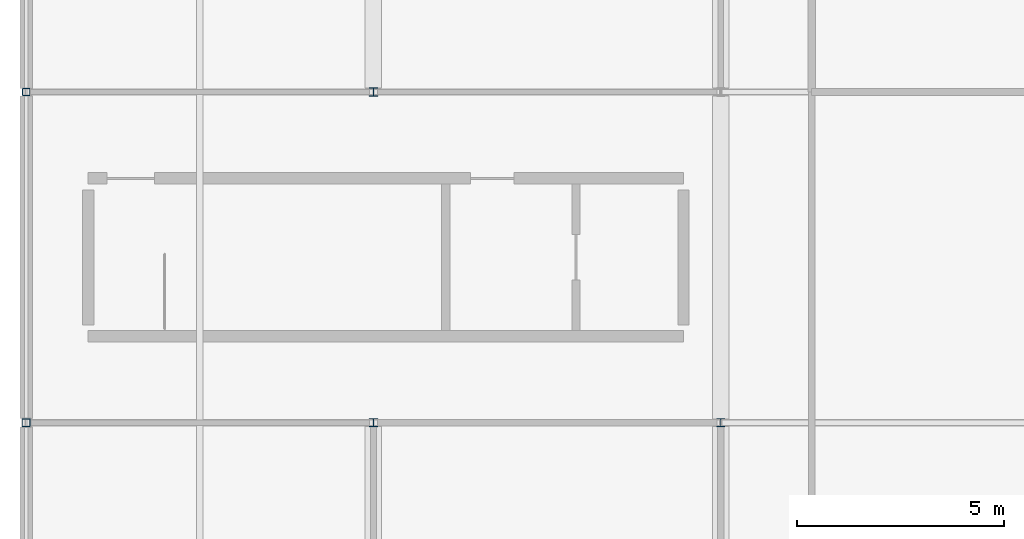
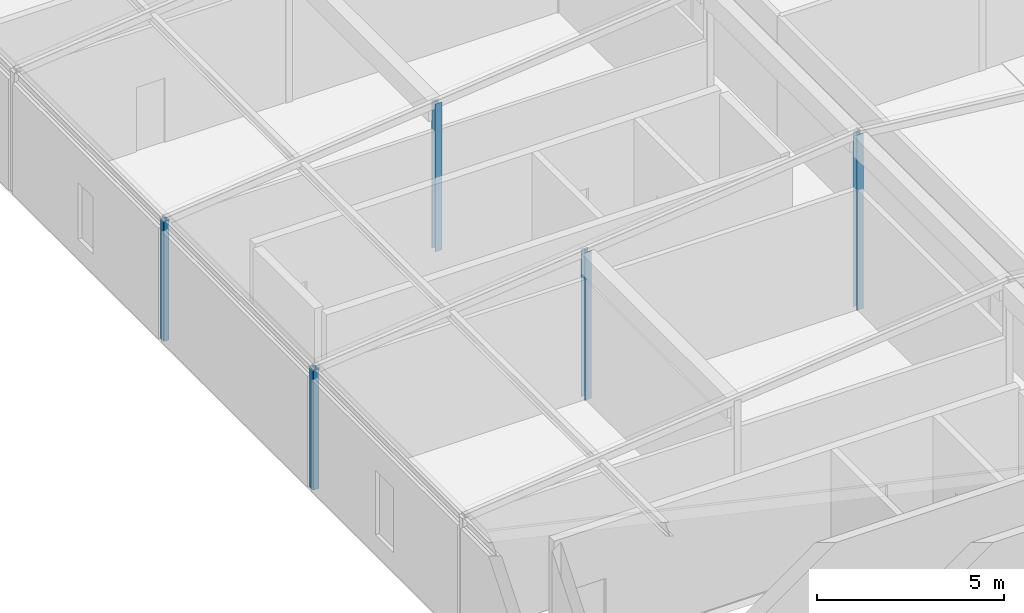
# One storey, part 3 of 25: 5 columns.
"""IFC4 building model written with IfcOpenShell, lengths in metres."""

from ifc_helpers import new_model, si_unit, direction, frame, origin, origin_2d, place, context, subcontext, project, spatial, hollow_rectangle, i_section, extrude, material, material_profile, profile_set, type_object, element, save


model = new_model("IFC4")

# Units and contexts
model_context = context("Model", 3, precision=1e-05, world=origin(), true_north=direction((0.0, 1.0)))
body_context = subcontext(model_context, "Body", "Model", "MODEL_VIEW")
ifc_project = project(units=[si_unit("LENGTHUNIT", "METRE"), si_unit("AREAUNIT", "SQUARE_METRE"), si_unit("VOLUMEUNIT", "CUBIC_METRE"), si_unit("PLANEANGLEUNIT", "RADIAN"), si_unit("MASSUNIT", "GRAM", prefix="KILO")], contexts=[model_context])

# Site, building, storey
site_placement = place(None, origin())
site = spatial("IfcSite", under=ifc_project, at=site_placement, CompositionType="ELEMENT")
building_placement = place(site_placement, origin())
building = spatial("IfcBuilding", under=site, at=building_placement, Name="Kranzveld Transit Interchange", CompositionType="ELEMENT")
storey_placement = place(building_placement, frame((0.0, 0.0, 21.0400390625)))
storey = spatial("IfcBuildingStorey", under=building, at=storey_placement, Name="L05", CompositionType="ELEMENT", Elevation=21.0400390625)

# Columns
ifc_material_1 = material(Name="Steel S355JR", Category="steel")
ifc_material_profile_1 = material_profile(ifc_material_1, i_section(OverallWidth=0.20361328125, OverallDepth=0.203125, WebThickness=0.007080078125, FlangeThickness=0.010986328125, FilletRadius=0.01025390625, at=origin_2d()), Name="UC 203x203x46")
ifc_profile_set_1 = profile_set([ifc_material_profile_1], Name="Steel S355JR")
column_type_1 = type_object("IfcColumnType", Name="Column Steel UC 203x203x46 S355JR", PredefinedType="COLUMN", material=ifc_profile_set_1)
for number, where, z_axis, x_axis, name in (
    (1, (8.39990234375, 80.0, 0.0), (0.0, 0.0, 1.0), (1.0, 0.0, 0.0), "L05 Column 02/L"),
    (2, (8.39990234375, 88.0, 0.0), (0.0, 0.0, 1.0), (1.0, 0.0, 0.0), "L05 Column 02/M"),
):
    element("IfcColumn", number, at=place(storey_placement, frame(where, z_axis=z_axis, x_axis=x_axis)), inside=storey, type_object=column_type_1, Name=name, PredefinedType="COLUMN", context=body_context, shape_type="SweptSolid", body=[
        extrude(i_section(OverallWidth=0.20361328125, OverallDepth=0.203125, WebThickness=0.007080078125, FlangeThickness=0.010986328125, FilletRadius=0.01025390625, at=origin_2d()), origin(), (0.0, 0.0, 1.0), 4.820068359375),
    ])
column_1_placement = place(storey_placement, frame((16.800048828125, 80.0, 0.0), z_axis=(0.0, 0.0, 1.0), x_axis=(1.0, 0.0, 0.0)))
element("IfcColumn", 3, at=column_1_placement, inside=storey, type_object=column_type_1, Name="L05 Column 03/L", PredefinedType="COLUMN", context=body_context, shape_type="SweptSolid", body=[
    extrude(i_section(OverallWidth=0.20361328125, OverallDepth=0.203125, WebThickness=0.007080078125, FlangeThickness=0.010986328125, FilletRadius=0.01025390625, at=origin_2d()), origin(), (0.0, 0.0, 1.0), 5.719970703125),
])
ifc_material_2 = material(Name="Steel S355JR", Category="steel")
ifc_material_profile_2 = material_profile(ifc_material_2, hollow_rectangle(XDim=0.179931640625, YDim=0.179931640625, WallThickness=0.008056640625, InnerFilletRadius=0.011962890625, OuterFilletRadius=0.02001953125, at=origin_2d()), Name="SHS 180x180x8")
ifc_profile_set_2 = profile_set([ifc_material_profile_2], Name="Steel S355JR")
column_type_2 = type_object("IfcColumnType", Name="Landing Post SHS 180x180x8 S355JR", PredefinedType="COLUMN", material=ifc_profile_set_2)
column_2_placement = place(storey_placement, frame((0.0, 88.0, 0.0), z_axis=(0.0, 0.0, 1.0), x_axis=(1.0, 0.0, 0.0)))
element("IfcColumn", 4, at=column_2_placement, inside=storey, type_object=column_type_2, Name="L05 Column 01/M", PredefinedType="COLUMN", context=body_context, shape_type="SweptSolid", body=[
    extrude(hollow_rectangle(XDim=0.179931640625, YDim=0.179931640625, WallThickness=0.008056640625, InnerFilletRadius=0.011962890625, OuterFilletRadius=0.02001953125, at=origin_2d()), origin(), (0.0, 0.0, 1.0), 3.919921875),
])
ifc_material_3 = material(Name="Steel S355JR", Category="steel")
ifc_material_profile_3 = material_profile(ifc_material_3, hollow_rectangle(XDim=0.199951171875, YDim=0.199951171875, WallThickness=0.010009765625, InnerFilletRadius=0.014892578125, OuterFilletRadius=0.02490234375, at=origin_2d()), Name="SHS 200x200x10")
ifc_profile_set_3 = profile_set([ifc_material_profile_3], Name="Steel S355JR")
column_type_3 = type_object("IfcColumnType", Name="Pavilion Post SHS 200x200x10 S355JR", PredefinedType="COLUMN", material=ifc_profile_set_3)
column_3_placement = place(storey_placement, frame((0.0, 80.0, 0.0), z_axis=(0.0, 0.0, 1.0), x_axis=(1.0, 0.0, 0.0)))
element("IfcColumn", 5, at=column_3_placement, inside=storey, type_object=column_type_3, Name="L05 Column 01/L", PredefinedType="COLUMN", context=body_context, shape_type="SweptSolid", body=[
    extrude(hollow_rectangle(XDim=0.199951171875, YDim=0.199951171875, WallThickness=0.010009765625, InnerFilletRadius=0.014892578125, OuterFilletRadius=0.02490234375, at=origin_2d()), origin(), (0.0, 0.0, 1.0), 3.919921875),
])

save(model, "model.ifc")
